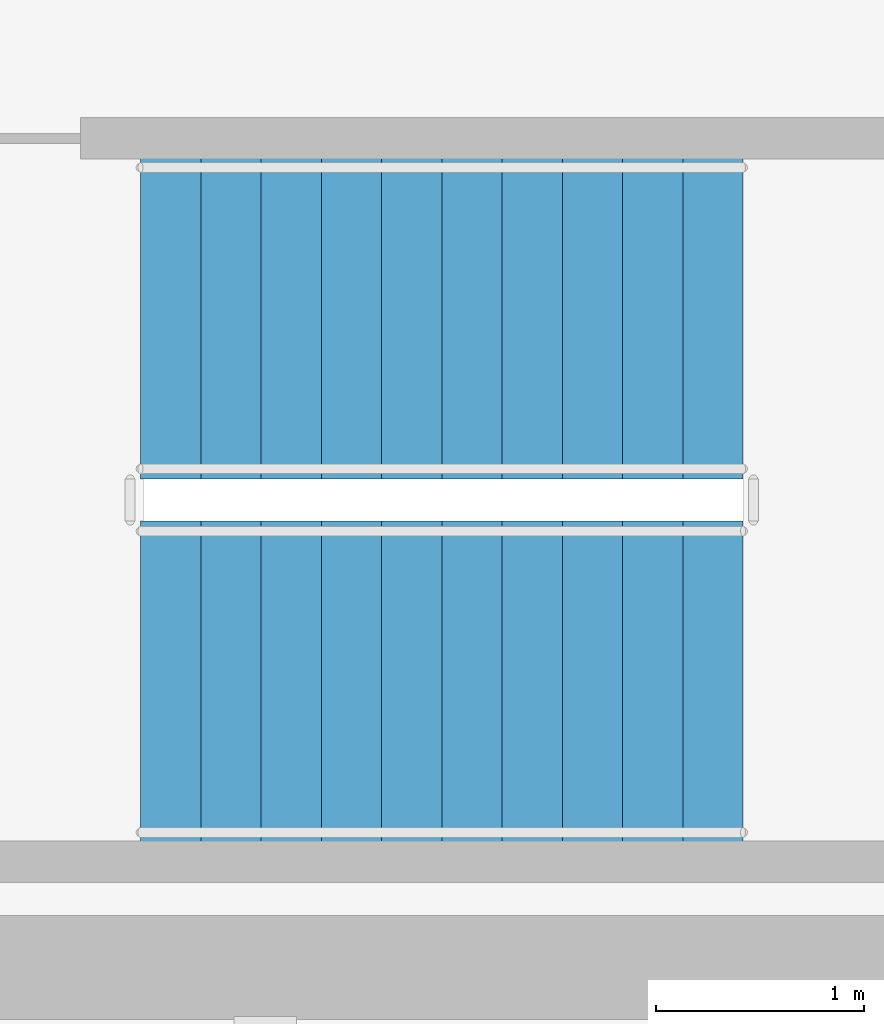
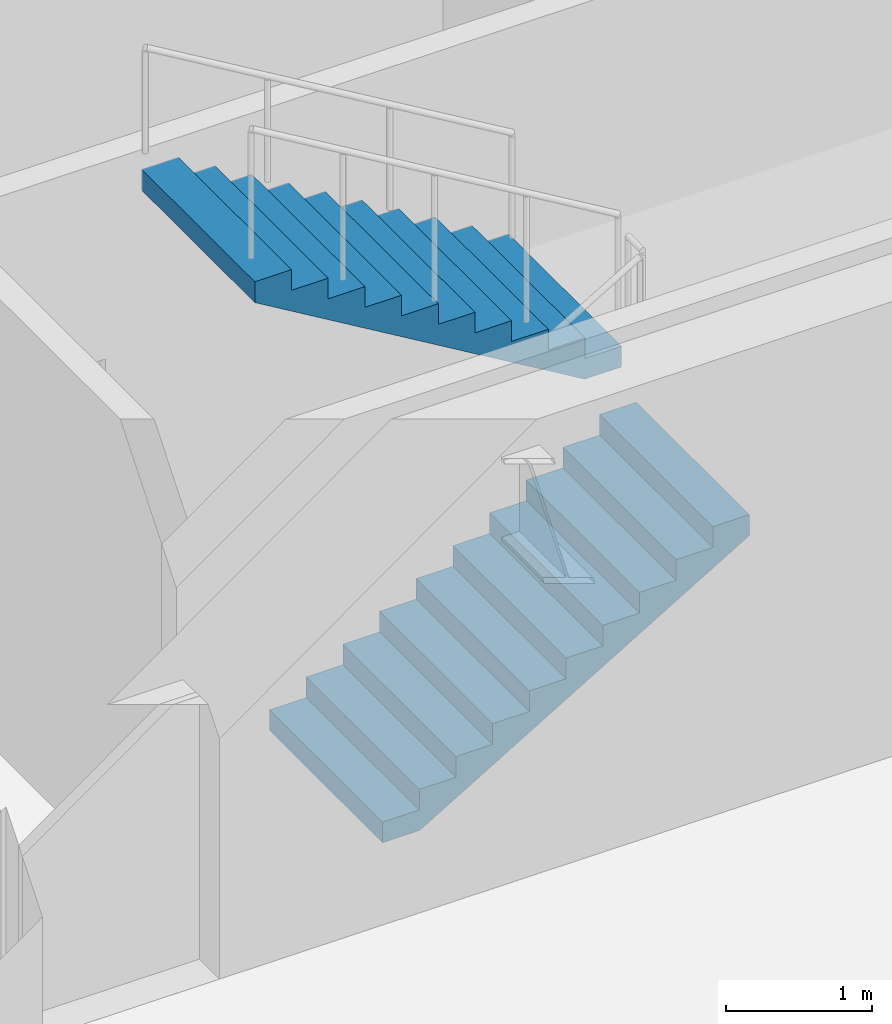
# One storey, part 20 of 24: 2 stair flights, 1 element without a shape of its own.
"""IFC4 building model written with IfcOpenShell, lengths in metres."""

from ifc_helpers import new_model, si_unit, direction, frame, origin, place, context, subcontext, project, spatial, polyline, outline, extrude, material, type_object, element, aggregate, save


model = new_model("IFC4")

# Units and contexts
model_context = context("Model", 3, precision=1e-05, world=origin(), true_north=direction((0.0, 1.0)))
body_context = subcontext(model_context, "Body", "Model", "MODEL_VIEW")
ifc_project = project(units=[si_unit("LENGTHUNIT", "METRE"), si_unit("AREAUNIT", "SQUARE_METRE"), si_unit("VOLUMEUNIT", "CUBIC_METRE"), si_unit("PLANEANGLEUNIT", "RADIAN"), si_unit("MASSUNIT", "GRAM", prefix="KILO")], contexts=[model_context])

# Site, building, storey
site_placement = place(None, origin())
site = spatial("IfcSite", under=ifc_project, at=site_placement, CompositionType="ELEMENT")
building_placement = place(site_placement, origin())
building = spatial("IfcBuilding", under=site, at=building_placement, Name="Putna Gate Headquarters", CompositionType="ELEMENT")
storey_placement = place(building_placement, frame((0.0, 0.0, 248.0)))
storey = spatial("IfcBuildingStorey", under=building, at=storey_placement, Name="L62", CompositionType="ELEMENT", Elevation=248.0)

# Stair, stair flights
ifc_material = material(Name="Concrete C40/50", Category="concrete")
stair_type = type_object("IfcStairType", Name="STAIR-ST2", PredefinedType="HALF_TURN_STAIR", material=ifc_material)
stair_placement = place(storey_placement, origin())
stair = element("IfcStair", 1, at=stair_placement, inside=storey, type_object=stair_type, Name="L62 East Core Exit Stair ST2", PredefinedType="HALF_TURN_STAIR")
stair_flight_type = type_object("IfcStairFlightType", Name="FLIGHT-ST2", PredefinedType="STRAIGHT", material=ifc_material)
stair_flight_1_placement = place(storey_placement, frame((57.89990234375, 20.375, 0.0), z_axis=(0.0, 0.0, 1.0), x_axis=(1.0, 0.0, 0.0)))
stair_flight_1 = element("IfcStairFlight", 2, at=stair_flight_1_placement, type_object=stair_flight_type, Name="ST2 flight 1", NumberOfRisers=11, NumberOfTreads=10, PredefinedType="STRAIGHT", RiserHeight=0.172727273, TreadLength=0.29, context=body_context, shape_type="SweptSolid", body=[
    extrude(outline(polyline([(0.0, 0.0), (0.0, 0.172607421875), (0.2900390625, 0.172607421875), (0.2900390625, 0.345458984375), (0.580078125, 0.345458984375), (0.580078125, 0.51806640625), (0.8701171875, 0.51806640625), (0.8701171875, 0.69091796875), (1.159912109375, 0.69091796875), (1.159912109375, 0.863525390625), (1.449951171875, 0.863525390625), (1.449951171875, 1.036376953125), (1.739990234375, 1.036376953125), (1.739990234375, 1.208984375), (2.030029296875, 1.208984375), (2.030029296875, 1.3818359375), (2.320068359375, 1.3818359375), (2.320068359375, 1.554443359375), (2.610107421875, 1.554443359375), (2.610107421875, 1.727294921875), (2.89990234375, 1.727294921875), (2.89990234375, 1.89990234375), (2.89990234375, 1.552734375), (0.29296875, 0.0), (0.0, 0.0)])), frame((0.0, 0.77490234375, 0.0), z_axis=(0.0, -1.0, 0.0), x_axis=(1.0, 0.0, 0.0)), (0.0, 0.0, 1.0), 1.550048828125),
])
stair_flight_2_placement = place(storey_placement, frame((60.800048828125, 22.125, 1.89990234375), z_axis=(0.0, 0.0, 1.0), x_axis=(-1.0, 0.0, 0.0)))
stair_flight_2 = element("IfcStairFlight", 3, at=stair_flight_2_placement, type_object=stair_flight_type, Name="ST2 flight 2", NumberOfRisers=11, NumberOfTreads=10, PredefinedType="STRAIGHT", RiserHeight=0.172727273, TreadLength=0.29, context=body_context, shape_type="SweptSolid", body=[
    extrude(outline(polyline([(0.0, 0.0), (0.0, 0.172607421875), (0.2900390625, 0.172607421875), (0.2900390625, 0.345458984375), (0.580078125, 0.345458984375), (0.580078125, 0.51806640625), (0.8701171875, 0.51806640625), (0.8701171875, 0.69091796875), (1.159912109375, 0.69091796875), (1.159912109375, 0.863525390625), (1.449951171875, 0.863525390625), (1.449951171875, 1.036376953125), (1.739990234375, 1.036376953125), (1.739990234375, 1.208984375), (2.030029296875, 1.208984375), (2.030029296875, 1.3818359375), (2.320068359375, 1.3818359375), (2.320068359375, 1.554443359375), (2.610107421875, 1.554443359375), (2.610107421875, 1.727294921875), (2.89990234375, 1.727294921875), (2.89990234375, 1.89990234375), (2.89990234375, 1.552734375), (0.29296875, 0.0), (0.0, 0.0)])), frame((0.0, 0.77490234375, 0.0), z_axis=(0.0, -1.0, 0.0), x_axis=(1.0, 0.0, 0.0)), (0.0, 0.0, 1.0), 1.550048828125),
])
aggregate(stair, [stair_flight_1, stair_flight_2])

save(model, "model.ifc")
